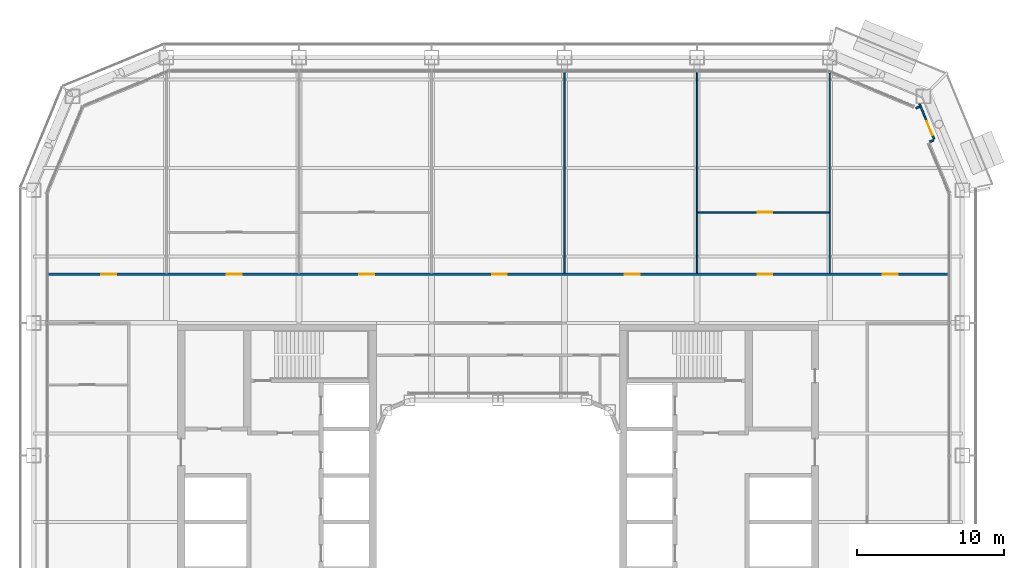
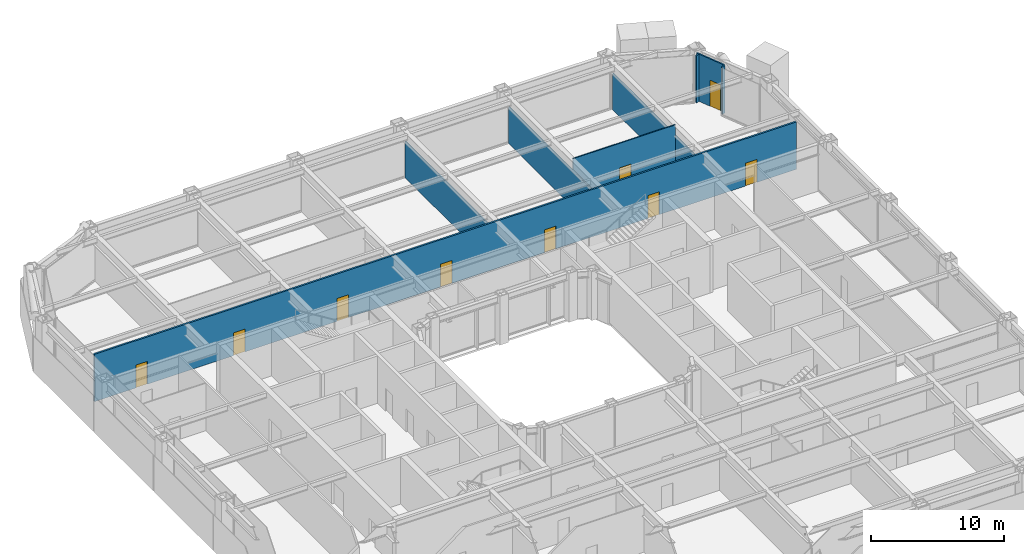
# One storey, part 16 of 30: 9 doors, 8 walls, 9 openings.
"""IFC4 building model written with IfcOpenShell, lengths in metres."""

from ifc_helpers import new_model, si_unit, direction, frame, frame_2d, origin, place, context, subcontext, project, spatial, rectangle, extrude, material, layer, layer_set, type_object, element, fill, save


model = new_model("IFC4")

# Units and contexts
model_context = context("Model", 3, precision=1e-05, world=origin(), true_north=direction((0.0, 1.0)))
body_context = subcontext(model_context, "Body", "Model", "MODEL_VIEW")
ifc_project = project(units=[si_unit("LENGTHUNIT", "METRE"), si_unit("AREAUNIT", "SQUARE_METRE"), si_unit("VOLUMEUNIT", "CUBIC_METRE"), si_unit("PLANEANGLEUNIT", "RADIAN"), si_unit("MASSUNIT", "GRAM", prefix="KILO")], contexts=[model_context])

# Site, building, storey
site_placement = place(None, origin())
site = spatial("IfcSite", under=ifc_project, at=site_placement, CompositionType="ELEMENT")
building_placement = place(site_placement, origin())
building = spatial("IfcBuilding", under=site, at=building_placement, Name="Siwar Civic Tower", CompositionType="ELEMENT")
storey_placement = place(building_placement, frame((0.0, 0.0, 80.699951171875)))
storey = spatial("IfcBuildingStorey", under=building, at=storey_placement, Name="L17", CompositionType="ELEMENT", Elevation=80.699951171875)

# Wall, openings, doors
ifc_material_1 = material(Name="Gypsum board on steel studs", Category="steel")
ifc_layer_1 = layer(ifc_material_1, 0.14990234375)
ifc_layer_set_1 = layer_set([ifc_layer_1], Name="Gypsum board on steel studs")
wall_type_1 = type_object("IfcWallType", Name="CORRIDOR PARTITION 150 EI 30", PredefinedType="PARTITIONING", material=ifc_layer_set_1)
wall_1_placement = place(storey_placement, frame((-30.510009765625, 16.800048828125, 0.0), z_axis=(0.0, 0.0, 1.0), x_axis=(1.0, 0.0, 0.0)))
wall_1 = element("IfcWall", 1, at=wall_1_placement, inside=storey, type_object=wall_type_1, Name="L17/wall/P14", PredefinedType="PARTITIONING", context=body_context, shape_type="SweptSolid", body=[
    extrude(rectangle(XDim=61.02001953125, YDim=0.14990234375, at=frame_2d((30.510009765625, 0.0))), origin(), (0.0, 0.0, 1.0), 4.35009765625),
])
opening_1_placement = place(wall_1_placement, frame((12.110107421875, 0.0, 0.0)))
opening_1 = element("IfcOpeningElement", 2, at=opening_1_placement, cuts=wall_1, Name="Opening D1", PredefinedType="OPENING", context=body_context, shape_type="SweptSolid", body=[
    extrude(rectangle(XDim=1.0, YDim=2.10009765625, at=frame_2d((0.5, 1.050048828125))), frame((0.0, 0.0849609375, 0.0), z_axis=(0.0, -1.0, 0.0), x_axis=(1.0, 0.0, 0.0)), (0.0, 0.0, 1.0), 0.169921875),
])
opening_2_placement = place(wall_1_placement, frame((21.110107421875, 0.0, 0.0)))
opening_2 = element("IfcOpeningElement", 3, at=opening_2_placement, cuts=wall_1, Name="Opening D1", PredefinedType="OPENING", context=body_context, shape_type="SweptSolid", body=[
    extrude(rectangle(XDim=1.0, YDim=2.10009765625, at=frame_2d((0.5, 1.050048828125))), frame((0.0, 0.0849609375, 0.0), z_axis=(0.0, -1.0, 0.0), x_axis=(1.0, 0.0, 0.0)), (0.0, 0.0, 1.0), 0.169921875),
])
opening_3_placement = place(wall_1_placement, frame((30.110107421875, 0.0, 0.0)))
opening_3 = element("IfcOpeningElement", 4, at=opening_3_placement, cuts=wall_1, Name="Opening D1", PredefinedType="OPENING", context=body_context, shape_type="SweptSolid", body=[
    extrude(rectangle(XDim=1.0, YDim=2.10009765625, at=frame_2d((0.5, 1.050048828125))), frame((0.0, 0.0849609375, 0.0), z_axis=(0.0, -1.0, 0.0), x_axis=(1.0, 0.0, 0.0)), (0.0, 0.0, 1.0), 0.169921875),
])
opening_4_placement = place(wall_1_placement, frame((39.110107421875, 0.0, 0.0)))
opening_4 = element("IfcOpeningElement", 5, at=opening_4_placement, cuts=wall_1, Name="Opening D1", PredefinedType="OPENING", context=body_context, shape_type="SweptSolid", body=[
    extrude(rectangle(XDim=1.0, YDim=2.10009765625, at=frame_2d((0.5, 1.050048828125))), frame((0.0, 0.0849609375, 0.0), z_axis=(0.0, -1.0, 0.0), x_axis=(1.0, 0.0, 0.0)), (0.0, 0.0, 1.0), 0.169921875),
])
opening_5_placement = place(wall_1_placement, frame((48.110107421875, 0.0, 0.0)))
opening_5 = element("IfcOpeningElement", 6, at=opening_5_placement, cuts=wall_1, Name="Opening D1", PredefinedType="OPENING", context=body_context, shape_type="SweptSolid", body=[
    extrude(rectangle(XDim=1.0, YDim=2.10009765625, at=frame_2d((0.5, 1.050048828125))), frame((0.0, 0.0849609375, 0.0), z_axis=(0.0, -1.0, 0.0), x_axis=(1.0, 0.0, 0.0)), (0.0, 0.0, 1.0), 0.169921875),
])
opening_6_placement = place(wall_1_placement, frame((3.610107421875, 0.0, 0.0)))
opening_6 = element("IfcOpeningElement", 7, at=opening_6_placement, cuts=wall_1, Name="Opening D1", PredefinedType="OPENING", context=body_context, shape_type="SweptSolid", body=[
    extrude(rectangle(XDim=1.0, YDim=2.10009765625, at=frame_2d((0.5, 1.050048828125))), frame((0.0, 0.0849609375, 0.0), z_axis=(0.0, -1.0, 0.0), x_axis=(1.0, 0.0, 0.0)), (0.0, 0.0, 1.0), 0.169921875),
])
opening_7_placement = place(wall_1_placement, frame((56.6201171875, 0.0, 0.0)))
opening_7 = element("IfcOpeningElement", 8, at=opening_7_placement, cuts=wall_1, Name="Opening D1", PredefinedType="OPENING", context=body_context, shape_type="SweptSolid", body=[
    extrude(rectangle(XDim=1.0, YDim=2.10009765625, at=frame_2d((0.5, 1.050048828125))), frame((0.0, 0.0849609375, 0.0), z_axis=(0.0, -1.0, 0.0), x_axis=(1.0, 0.0, 0.0)), (0.0, 0.0, 1.0), 0.169921875),
])
ifc_material_2 = material(Name="Timber, painted", Category="wood")
door_type_1 = type_object("IfcDoorType", Name="DOOR 1000 X 2100 FD30", OperationType="SINGLE_SWING_LEFT", PredefinedType="DOOR", material=ifc_material_2)
door_1_placement = place(opening_1_placement, origin())
door_1 = element("IfcDoor", 9, at=door_1_placement, inside=storey, type_object=door_type_1, Name="L17-D01", OperationType="SINGLE_SWING_LEFT", OverallHeight=2.10009765625, OverallWidth=1.0, PredefinedType="DOOR", context=body_context, shape_type="SweptSolid", body=[
    extrude(rectangle(XDim=1.0, YDim=2.10009765625, at=frame_2d((0.5, 1.050048828125))), frame((0.0, 0.02490234375, 0.0), z_axis=(0.0, -1.0, 0.0), x_axis=(1.0, 0.0, 0.0)), (0.0, 0.0, 1.0), 0.050048828125),
])
fill(opening_1, door_1)
door_2_placement = place(opening_2_placement, origin())
door_2 = element("IfcDoor", 10, at=door_2_placement, inside=storey, type_object=door_type_1, Name="L17-D03", OperationType="SINGLE_SWING_LEFT", OverallHeight=2.10009765625, OverallWidth=1.0, PredefinedType="DOOR", context=body_context, shape_type="SweptSolid", body=[
    extrude(rectangle(XDim=1.0, YDim=2.10009765625, at=frame_2d((0.5, 1.050048828125))), frame((0.0, 0.02490234375, 0.0), z_axis=(0.0, -1.0, 0.0), x_axis=(1.0, 0.0, 0.0)), (0.0, 0.0, 1.0), 0.050048828125),
])
fill(opening_2, door_2)
door_3_placement = place(opening_3_placement, origin())
door_3 = element("IfcDoor", 11, at=door_3_placement, inside=storey, type_object=door_type_1, Name="L17-D05", OperationType="SINGLE_SWING_LEFT", OverallHeight=2.10009765625, OverallWidth=1.0, PredefinedType="DOOR", context=body_context, shape_type="SweptSolid", body=[
    extrude(rectangle(XDim=1.0, YDim=2.10009765625, at=frame_2d((0.5, 1.050048828125))), frame((0.0, 0.02490234375, 0.0), z_axis=(0.0, -1.0, 0.0), x_axis=(1.0, 0.0, 0.0)), (0.0, 0.0, 1.0), 0.050048828125),
])
fill(opening_3, door_3)
door_4_placement = place(opening_4_placement, origin())
door_4 = element("IfcDoor", 12, at=door_4_placement, inside=storey, type_object=door_type_1, Name="L17-D06", OperationType="SINGLE_SWING_RIGHT", OverallHeight=2.10009765625, OverallWidth=1.0, PredefinedType="DOOR", context=body_context, shape_type="SweptSolid", body=[
    extrude(rectangle(XDim=1.0, YDim=2.10009765625, at=frame_2d((0.5, 1.050048828125))), frame((0.0, 0.02490234375, 0.0), z_axis=(0.0, -1.0, 0.0), x_axis=(1.0, 0.0, 0.0)), (0.0, 0.0, 1.0), 0.050048828125),
])
fill(opening_4, door_4)
door_5_placement = place(opening_5_placement, origin())
door_5 = element("IfcDoor", 13, at=door_5_placement, inside=storey, type_object=door_type_1, Name="L17-D07", OperationType="SINGLE_SWING_LEFT", OverallHeight=2.10009765625, OverallWidth=1.0, PredefinedType="DOOR", context=body_context, shape_type="SweptSolid", body=[
    extrude(rectangle(XDim=1.0, YDim=2.10009765625, at=frame_2d((0.5, 1.050048828125))), frame((0.0, 0.02490234375, 0.0), z_axis=(0.0, -1.0, 0.0), x_axis=(1.0, 0.0, 0.0)), (0.0, 0.0, 1.0), 0.050048828125),
])
fill(opening_5, door_5)
door_6_placement = place(opening_6_placement, origin())
door_6 = element("IfcDoor", 14, at=door_6_placement, inside=storey, type_object=door_type_1, Name="L17-D20", OperationType="SINGLE_SWING_RIGHT", OverallHeight=2.10009765625, OverallWidth=1.0, PredefinedType="DOOR", context=body_context, shape_type="SweptSolid", body=[
    extrude(rectangle(XDim=1.0, YDim=2.10009765625, at=frame_2d((0.5, 1.050048828125))), frame((0.0, 0.02490234375, 0.0), z_axis=(0.0, -1.0, 0.0), x_axis=(1.0, 0.0, 0.0)), (0.0, 0.0, 1.0), 0.050048828125),
])
fill(opening_6, door_6)
door_7_placement = place(opening_7_placement, origin())
door_7 = element("IfcDoor", 15, at=door_7_placement, inside=storey, type_object=door_type_1, Name="L17-D21", OperationType="SINGLE_SWING_LEFT", OverallHeight=2.10009765625, OverallWidth=1.0, PredefinedType="DOOR", context=body_context, shape_type="SweptSolid", body=[
    extrude(rectangle(XDim=1.0, YDim=2.10009765625, at=frame_2d((0.5, 1.050048828125))), frame((0.0, 0.02490234375, 0.0), z_axis=(0.0, -1.0, 0.0), x_axis=(1.0, 0.0, 0.0)), (0.0, 0.0, 1.0), 0.050048828125),
])
fill(opening_7, door_7)

# Walls
ifc_material_3 = material(Name="Aluminium clad insulated panel", Category="aluminium")
ifc_layer_2 = layer(ifc_material_3, 0.1201171875)
ifc_layer_set_2 = layer_set([ifc_layer_2], Name="Aluminium clad insulated panel")
wall_type_2 = type_object("IfcWallType", Name="ENV-WALL-BAL", PredefinedType="STANDARD", material=ifc_layer_set_2)
wall_2_placement = place(storey_placement, frame((29.284912109375, 25.783447265625, 0.0), z_axis=(0.0, 0.0, 1.0), x_axis=(0.923772220778, 0.382942403136, 0.0)))
element("IfcWall", 16, at=wall_2_placement, inside=storey, type_object=wall_type_2, Name="Balcony door wall return NE1", PredefinedType="STANDARD", context=body_context, shape_type="SweptSolid", body=[
    extrude(rectangle(XDim=0.27978515625, YDim=0.1201171875, at=frame_2d((0.139892578125, 0.0))), origin(), (0.0, 0.0, 1.0), 4.35009765625),
])
wall_3_placement = place(storey_placement, frame((28.3427734375, 28.057861328125, 0.0), z_axis=(0.0, 0.0, 1.0), x_axis=(0.923899985553, 0.382634050621, 0.0)))
element("IfcWall", 17, at=wall_3_placement, inside=storey, type_object=wall_type_2, Name="Balcony door wall return NE1", PredefinedType="STANDARD", context=body_context, shape_type="SweptSolid", body=[
    extrude(rectangle(XDim=0.280029296875, YDim=0.1201171875, at=frame_2d((0.14013671875, 0.0))), origin(), (0.0, 0.0, 1.0), 4.35009765625),
])

# Wall, opening, door
wall_4_placement = place(storey_placement, frame((29.575927734375, 25.968994140625, 0.0), z_axis=(0.0, 0.0, 1.0), x_axis=(-0.382648460137, 0.923894017707, 0.0)))
wall_4 = element("IfcWall", 18, at=wall_4_placement, inside=storey, type_object=wall_type_2, Name="Balcony door wall NE1", PredefinedType="STANDARD", context=body_context, shape_type="SweptSolid", body=[
    extrude(rectangle(XDim=2.59228515625, YDim=0.1201171875, at=frame_2d((1.296142578125, 0.0))), origin(), (0.0, 0.0, 1.0), 4.35009765625),
])
opening_8_placement = place(wall_4_placement, frame((0.300048828125, 0.0, 0.0)))
opening_8 = element("IfcOpeningElement", 19, at=opening_8_placement, cuts=wall_4, Name="Opening D-BAL", PredefinedType="OPENING", context=body_context, shape_type="SweptSolid", body=[
    extrude(rectangle(XDim=1.0, YDim=2.39990234375, at=frame_2d((0.5, 1.199951171875))), frame((0.0, 0.070068359375, 0.0), z_axis=(0.0, -1.0, 0.0), x_axis=(1.0, 0.0, 0.0)), (0.0, 0.0, 1.0), 0.14013671875),
])
ifc_material_4 = material(Name="Aluminium and glass", Category="aluminium")
door_type_2 = type_object("IfcDoorType", Name="ENV-DOOR-BAL", OperationType="SINGLE_SWING_LEFT", PredefinedType="DOOR", material=ifc_material_4)
door_8_placement = place(opening_8_placement, origin())
door_8 = element("IfcDoor", 20, at=door_8_placement, inside=storey, type_object=door_type_2, Name="Balcony door NE", OperationType="SINGLE_SWING_LEFT", OverallHeight=2.39990234375, OverallWidth=1.0, PredefinedType="DOOR", context=body_context, shape_type="SweptSolid", body=[
    extrude(rectangle(XDim=1.0, YDim=2.39990234375, at=frame_2d((0.5, 1.199951171875))), frame((0.0, 0.02490234375, 0.0), z_axis=(0.0, -1.0, 0.0), x_axis=(1.0, 0.0, 0.0)), (0.0, 0.0, 1.0), 0.050048828125),
])
fill(opening_8, door_8)

ifc_material_5 = material(Name="Gypsum board on steel studs", Category="steel")
ifc_layer_3 = layer(ifc_material_5, 0.10009765625)
ifc_layer_set_3 = layer_set([ifc_layer_3], Name="Gypsum board on steel studs")
wall_type_3 = type_object("IfcWallType", Name="PARTITION 100 GYPSUM", PredefinedType="PARTITIONING", material=ifc_layer_set_3)
wall_5_placement = place(storey_placement, frame((13.550048828125, 21.0, 0.0), z_axis=(0.0, 0.0, 1.0), x_axis=(1.0, 0.0, 0.0)))
wall_5 = element("IfcWall", 21, at=wall_5_placement, inside=storey, type_object=wall_type_3, Name="L17/wall/P17", PredefinedType="PARTITIONING", context=body_context, shape_type="SweptSolid", body=[
    extrude(rectangle(XDim=8.89990234375, YDim=0.10009765625, at=frame_2d((4.449951171875, 0.0))), origin(), (0.0, 0.0, 1.0), 4.35009765625),
])
opening_9_placement = place(wall_5_placement, frame((4.050048828125, 0.0, 0.0)))
opening_9 = element("IfcOpeningElement", 22, at=opening_9_placement, cuts=wall_5, Name="Opening D2", PredefinedType="OPENING", context=body_context, shape_type="SweptSolid", body=[
    extrude(rectangle(XDim=1.0, YDim=2.10009765625, at=frame_2d((0.5, 1.050048828125))), frame((0.0, 0.06005859375, 0.0), z_axis=(0.0, -1.0, 0.0), x_axis=(1.0, 0.0, 0.0)), (0.0, 0.0, 1.0), 0.1201171875),
])
ifc_material_6 = material(Name="Timber, painted", Category="wood")
door_type_3 = type_object("IfcDoorType", Name="DOOR 1000 X 2100", OperationType="SINGLE_SWING_LEFT", PredefinedType="DOOR", material=ifc_material_6)
door_9_placement = place(opening_9_placement, origin())
door_9 = element("IfcDoor", 23, at=door_9_placement, inside=storey, type_object=door_type_3, Name="L17-D08", OperationType="SINGLE_SWING_RIGHT", OverallHeight=2.10009765625, OverallWidth=1.0, PredefinedType="DOOR", context=body_context, shape_type="SweptSolid", body=[
    extrude(rectangle(XDim=1.0, YDim=2.10009765625, at=frame_2d((0.5, 1.050048828125))), frame((0.0, 0.02490234375, 0.0), z_axis=(0.0, -1.0, 0.0), x_axis=(1.0, 0.0, 0.0)), (0.0, 0.0, 1.0), 0.050048828125),
])
fill(opening_9, door_9)

# Walls
for number, where, z_axis, x_axis, name in (
    (24, (4.5, 16.875, 0.0), (0.0, 0.0, 1.0), (0.0, 1.0, 0.0), "L17/wall/P31"),
    (25, (13.5, 16.875, 0.0), (0.0, 0.0, 1.0), (0.0, 1.0, 0.0), "L17/wall/P36"),
):
    element("IfcWall", number, at=place(storey_placement, frame(where, z_axis=z_axis, x_axis=x_axis)), inside=storey, type_object=wall_type_3, Name=name, PredefinedType="PARTITIONING", context=body_context, shape_type="SweptSolid", body=[
        extrude(rectangle(XDim=13.635009765625, YDim=0.10009765625, at=frame_2d((6.8173828125, 0.0))), origin(), (0.0, 0.0, 1.0), 3.35009765625),
    ])
wall_6_placement = place(storey_placement, frame((22.5, 16.875, 0.0), z_axis=(0.0, 0.0, 1.0), x_axis=(0.0, 1.0, 0.0)))
element("IfcWall", 26, at=wall_6_placement, inside=storey, type_object=wall_type_3, Name="L17/wall/P38", PredefinedType="PARTITIONING", context=body_context, shape_type="SweptSolid", body=[
    extrude(rectangle(XDim=13.552978515625, YDim=0.10009765625, at=frame_2d((6.7763671875, 0.0))), origin(), (0.0, 0.0, 1.0), 3.35009765625),
])

save(model, "model.ifc")
